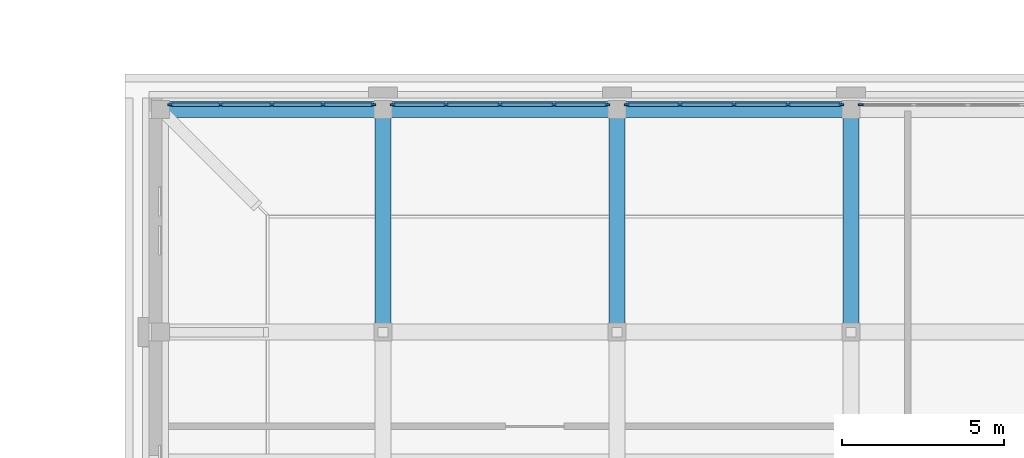
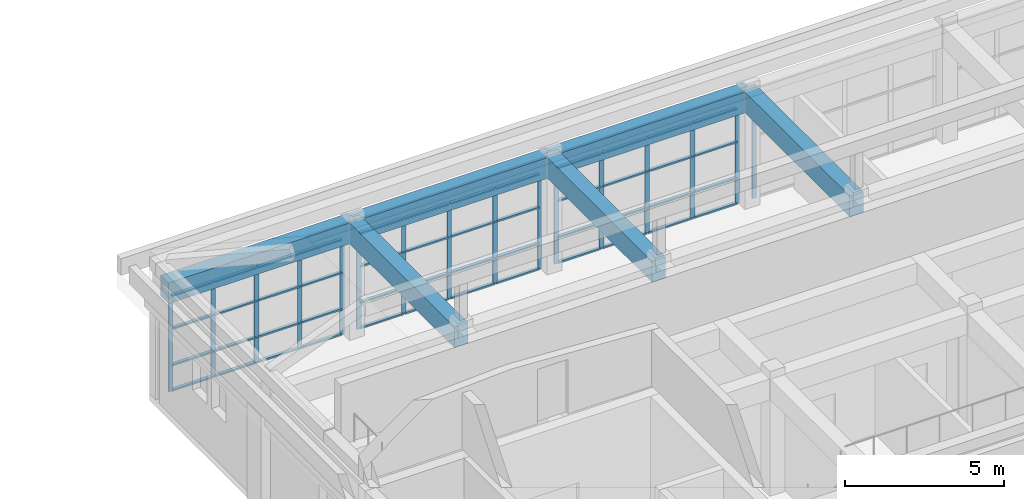
# One storey, part 8 of 48: 64 members, 6 beams, 4 elements without a shape of their own.
"""IFC4 building model written with IfcOpenShell, lengths in metres."""

from ifc_helpers import new_model, si_unit, direction, frame, origin, origin_2d, place, context, subcontext, project, spatial, rectangle, extrude, material, material_profile, profile_set, type_object, element, aggregate, save


model = new_model("IFC4")

# Units and contexts
model_context = context("Model", 3, precision=1e-05, world=origin(), true_north=direction((0.0, 1.0)))
body_context = subcontext(model_context, "Body", "Model", "MODEL_VIEW")
ifc_project = project(units=[si_unit("LENGTHUNIT", "METRE"), si_unit("AREAUNIT", "SQUARE_METRE"), si_unit("VOLUMEUNIT", "CUBIC_METRE"), si_unit("PLANEANGLEUNIT", "RADIAN"), si_unit("MASSUNIT", "GRAM", prefix="KILO")], contexts=[model_context])

# Site, building, storey
site_placement = place(None, origin())
site = spatial("IfcSite", under=ifc_project, at=site_placement, CompositionType="ELEMENT")
building_placement = place(site_placement, origin())
building = spatial("IfcBuilding", under=site, at=building_placement, Name="Alderwick Market Hall", CompositionType="ELEMENT")
storey_placement = place(building_placement, frame((0.0, 0.0, 14.39990234375)))
storey = spatial("IfcBuildingStorey", under=building, at=storey_placement, Name="L02", CompositionType="ELEMENT", Elevation=14.39990234375)

# Curtain wall, members
ifc_material_1 = material(Name="C Curtain Wall 1800 module")
curtain_wall_type = type_object("IfcCurtainWallType", Name="C Curtain Wall 1800 module", PredefinedType="NOTDEFINED", material=ifc_material_1)
curtain_wall_1_placement = place(storey_placement, origin())
curtain_wall_1 = element("IfcCurtainWall", 1, at=curtain_wall_1_placement, inside=storey, type_object=curtain_wall_type, Name="C.cw.L02.02", PredefinedType="NOTDEFINED")
ifc_material_2 = material(Name="Aluminium alloy 6063-T6", Category="aluminium")
ifc_material_profile_1 = material_profile(ifc_material_2, rectangle(XDim=0.06005859375, YDim=0.159912109375, at=origin_2d()), Name="AL 60x160")
ifc_profile_set_1 = profile_set([ifc_material_profile_1], Name="Aluminium alloy 6063-T6")
member_type_1 = type_object("IfcMemberType", Name="C Curtain Wall Mullion 60x160", PredefinedType="MULLION", material=ifc_profile_set_1)
member_1_placement = place(storey_placement, frame((159.054931640625, 28.60009765625, 0.0), z_axis=(0.0, 0.0, 1.0), x_axis=(0.0, 1.0, 0.0)))
member_1 = element("IfcMember", 2, at=member_1_placement, type_object=member_type_1, Name="C-CW mullion 1", PredefinedType="MULLION", context=body_context, shape_type="SweptSolid", body=[
    extrude(rectangle(XDim=0.06005859375, YDim=0.159912109375, at=origin_2d()), origin(), (0.0, 0.0, 1.0), 3.7001953125),
])
member_2_placement = place(storey_placement, frame((160.60009765625, 28.60009765625, 0.0), z_axis=(0.0, 0.0, 1.0), x_axis=(0.0, 1.0, 0.0)))
member_2 = element("IfcMember", 3, at=member_2_placement, type_object=member_type_1, Name="C-CW mullion 2", PredefinedType="MULLION", context=body_context, shape_type="SweptSolid", body=[
    extrude(rectangle(XDim=0.06005859375, YDim=0.159912109375, at=origin_2d()), origin(), (0.0, 0.0, 1.0), 3.7001953125),
])
member_3_placement = place(storey_placement, frame((162.175048828125, 28.60009765625, 0.0), z_axis=(0.0, 0.0, 1.0), x_axis=(0.0, 1.0, 0.0)))
member_3 = element("IfcMember", 4, at=member_3_placement, type_object=member_type_1, Name="C-CW mullion 3", PredefinedType="MULLION", context=body_context, shape_type="SweptSolid", body=[
    extrude(rectangle(XDim=0.06005859375, YDim=0.159912109375, at=origin_2d()), origin(), (0.0, 0.0, 1.0), 3.7001953125),
])
member_4_placement = place(storey_placement, frame((163.75, 28.60009765625, 0.0), z_axis=(0.0, 0.0, 1.0), x_axis=(0.0, 1.0, 0.0)))
member_4 = element("IfcMember", 5, at=member_4_placement, type_object=member_type_1, Name="C-CW mullion 4", PredefinedType="MULLION", context=body_context, shape_type="SweptSolid", body=[
    extrude(rectangle(XDim=0.06005859375, YDim=0.159912109375, at=origin_2d()), origin(), (0.0, 0.0, 1.0), 3.7001953125),
])
member_5_placement = place(storey_placement, frame((165.294921875, 28.60009765625, 0.0), z_axis=(0.0, 0.0, 1.0), x_axis=(0.0, 1.0, 0.0)))
member_5 = element("IfcMember", 6, at=member_5_placement, type_object=member_type_1, Name="C-CW mullion 5", PredefinedType="MULLION", context=body_context, shape_type="SweptSolid", body=[
    extrude(rectangle(XDim=0.06005859375, YDim=0.159912109375, at=origin_2d()), origin(), (0.0, 0.0, 1.0), 3.7001953125),
])

curtain_wall_2_placement = place(storey_placement, origin())
curtain_wall_2 = element("IfcCurtainWall", 7, at=curtain_wall_2_placement, inside=storey, type_object=curtain_wall_type, Name="C.cw.L02.03", PredefinedType="NOTDEFINED")
member_6_placement = place(storey_placement, frame((165.905029296875, 28.60009765625, 0.0), z_axis=(0.0, 0.0, 1.0), x_axis=(0.0, 1.0, 0.0)))
member_6 = element("IfcMember", 8, at=member_6_placement, type_object=member_type_1, Name="C-CW mullion 1", PredefinedType="MULLION", context=body_context, shape_type="SweptSolid", body=[
    extrude(rectangle(XDim=0.06005859375, YDim=0.159912109375, at=origin_2d()), origin(), (0.0, 0.0, 1.0), 3.7001953125),
])
member_7_placement = place(storey_placement, frame((167.53759765625, 28.60009765625, 0.0), z_axis=(0.0, 0.0, 1.0), x_axis=(0.0, 1.0, 0.0)))
member_7 = element("IfcMember", 9, at=member_7_placement, type_object=member_type_1, Name="C-CW mullion 2", PredefinedType="MULLION", context=body_context, shape_type="SweptSolid", body=[
    extrude(rectangle(XDim=0.06005859375, YDim=0.159912109375, at=origin_2d()), origin(), (0.0, 0.0, 1.0), 3.7001953125),
])
member_8_placement = place(storey_placement, frame((169.199951171875, 28.60009765625, 0.0), z_axis=(0.0, 0.0, 1.0), x_axis=(0.0, 1.0, 0.0)))
member_8 = element("IfcMember", 10, at=member_8_placement, type_object=member_type_1, Name="C-CW mullion 3", PredefinedType="MULLION", context=body_context, shape_type="SweptSolid", body=[
    extrude(rectangle(XDim=0.06005859375, YDim=0.159912109375, at=origin_2d()), origin(), (0.0, 0.0, 1.0), 3.7001953125),
])
member_9_placement = place(storey_placement, frame((170.862548828125, 28.60009765625, 0.0), z_axis=(0.0, 0.0, 1.0), x_axis=(0.0, 1.0, 0.0)))
member_9 = element("IfcMember", 11, at=member_9_placement, type_object=member_type_1, Name="C-CW mullion 4", PredefinedType="MULLION", context=body_context, shape_type="SweptSolid", body=[
    extrude(rectangle(XDim=0.06005859375, YDim=0.159912109375, at=origin_2d()), origin(), (0.0, 0.0, 1.0), 3.7001953125),
])
member_10_placement = place(storey_placement, frame((172.4951171875, 28.60009765625, 0.0), z_axis=(0.0, 0.0, 1.0), x_axis=(0.0, 1.0, 0.0)))
member_10 = element("IfcMember", 12, at=member_10_placement, type_object=member_type_1, Name="C-CW mullion 5", PredefinedType="MULLION", context=body_context, shape_type="SweptSolid", body=[
    extrude(rectangle(XDim=0.06005859375, YDim=0.159912109375, at=origin_2d()), origin(), (0.0, 0.0, 1.0), 3.7001953125),
])

curtain_wall_3_placement = place(storey_placement, origin())
curtain_wall_3 = element("IfcCurtainWall", 13, at=curtain_wall_3_placement, inside=storey, type_object=curtain_wall_type, Name="C.cw.L02.04", PredefinedType="NOTDEFINED")
member_11_placement = place(storey_placement, frame((173.10498046875, 28.60009765625, 0.0), z_axis=(0.0, 0.0, 1.0), x_axis=(0.0, 1.0, 0.0)))
member_11 = element("IfcMember", 14, at=member_11_placement, type_object=member_type_1, Name="C-CW mullion 1", PredefinedType="MULLION", context=body_context, shape_type="SweptSolid", body=[
    extrude(rectangle(XDim=0.06005859375, YDim=0.159912109375, at=origin_2d()), origin(), (0.0, 0.0, 1.0), 3.7001953125),
])
member_12_placement = place(storey_placement, frame((174.737548828125, 28.60009765625, 0.0), z_axis=(0.0, 0.0, 1.0), x_axis=(0.0, 1.0, 0.0)))
member_12 = element("IfcMember", 15, at=member_12_placement, type_object=member_type_1, Name="C-CW mullion 2", PredefinedType="MULLION", context=body_context, shape_type="SweptSolid", body=[
    extrude(rectangle(XDim=0.06005859375, YDim=0.159912109375, at=origin_2d()), origin(), (0.0, 0.0, 1.0), 3.7001953125),
])
member_13_placement = place(storey_placement, frame((176.39990234375, 28.60009765625, 0.0), z_axis=(0.0, 0.0, 1.0), x_axis=(0.0, 1.0, 0.0)))
member_13 = element("IfcMember", 16, at=member_13_placement, type_object=member_type_1, Name="C-CW mullion 3", PredefinedType="MULLION", context=body_context, shape_type="SweptSolid", body=[
    extrude(rectangle(XDim=0.06005859375, YDim=0.159912109375, at=origin_2d()), origin(), (0.0, 0.0, 1.0), 3.7001953125),
])
member_14_placement = place(storey_placement, frame((178.0625, 28.60009765625, 0.0), z_axis=(0.0, 0.0, 1.0), x_axis=(0.0, 1.0, 0.0)))
member_14 = element("IfcMember", 17, at=member_14_placement, type_object=member_type_1, Name="C-CW mullion 4", PredefinedType="MULLION", context=body_context, shape_type="SweptSolid", body=[
    extrude(rectangle(XDim=0.06005859375, YDim=0.159912109375, at=origin_2d()), origin(), (0.0, 0.0, 1.0), 3.7001953125),
])
member_15_placement = place(storey_placement, frame((179.695068359375, 28.60009765625, 0.0), z_axis=(0.0, 0.0, 1.0), x_axis=(0.0, 1.0, 0.0)))
member_15 = element("IfcMember", 18, at=member_15_placement, type_object=member_type_1, Name="C-CW mullion 5", PredefinedType="MULLION", context=body_context, shape_type="SweptSolid", body=[
    extrude(rectangle(XDim=0.06005859375, YDim=0.159912109375, at=origin_2d()), origin(), (0.0, 0.0, 1.0), 3.7001953125),
])

# Curtain wall, member
curtain_wall_4_placement = place(storey_placement, origin())
curtain_wall_4 = element("IfcCurtainWall", 19, at=curtain_wall_4_placement, inside=storey, type_object=curtain_wall_type, Name="C.cw.L02.05", PredefinedType="NOTDEFINED")
member_16_placement = place(storey_placement, frame((180.304931640625, 28.60009765625, 0.0), z_axis=(0.0, 0.0, 1.0), x_axis=(0.0, 1.0, 0.0)))
member_16 = element("IfcMember", 20, at=member_16_placement, type_object=member_type_1, Name="C-CW mullion 1", PredefinedType="MULLION", context=body_context, shape_type="SweptSolid", body=[
    extrude(rectangle(XDim=0.06005859375, YDim=0.159912109375, at=origin_2d()), origin(), (0.0, 0.0, 1.0), 3.7001953125),
])
aggregate(curtain_wall_4, [member_16])

# Member
ifc_material_profile_2 = material_profile(ifc_material_2, rectangle(XDim=0.1201171875, YDim=0.06005859375, at=origin_2d()), Name="AL 60x120")
ifc_profile_set_2 = profile_set([ifc_material_profile_2], Name="Aluminium alloy 6063-T6")
member_type_2 = type_object("IfcMemberType", Name="C Curtain Wall Transom 60x120", PredefinedType="USERDEFINED", material=ifc_profile_set_2)
member_17_placement = place(storey_placement, frame((159.0849609375, 28.60009765625, 0.030029296875), z_axis=(1.0, 0.0, 0.0), x_axis=(0.0, 1.0, 0.0)))
member_17 = element("IfcMember", 21, at=member_17_placement, type_object=member_type_2, Name="C-CW transom 1.1", ObjectType="TRANSOM", PredefinedType="USERDEFINED", context=body_context, shape_type="SweptSolid", body=[
    extrude(rectangle(XDim=0.1201171875, YDim=0.06005859375, at=origin_2d()), origin(), (0.0, 0.0, 1.0), 1.485107421875),
])

member_18_placement = place(storey_placement, frame((159.0849609375, 28.60009765625, 1.0), z_axis=(1.0, 0.0, 0.0), x_axis=(0.0, 1.0, 0.0)))
member_18 = element("IfcMember", 22, at=member_18_placement, type_object=member_type_2, Name="C-CW transom 1.2", ObjectType="TRANSOM", PredefinedType="USERDEFINED", context=body_context, shape_type="SweptSolid", body=[
    extrude(rectangle(XDim=0.1201171875, YDim=0.06005859375, at=origin_2d()), origin(), (0.0, 0.0, 1.0), 1.485107421875),
])

member_19_placement = place(storey_placement, frame((159.0849609375, 28.60009765625, 2.400146484375), z_axis=(1.0, 0.0, 0.0), x_axis=(0.0, 1.0, 0.0)))
member_19 = element("IfcMember", 23, at=member_19_placement, type_object=member_type_2, Name="C-CW transom 1.3", ObjectType="TRANSOM", PredefinedType="USERDEFINED", context=body_context, shape_type="SweptSolid", body=[
    extrude(rectangle(XDim=0.1201171875, YDim=0.06005859375, at=origin_2d()), origin(), (0.0, 0.0, 1.0), 1.485107421875),
])

member_20_placement = place(storey_placement, frame((159.0849609375, 28.60009765625, 3.670166015625), z_axis=(1.0, 0.0, 0.0), x_axis=(0.0, 1.0, 0.0)))
member_20 = element("IfcMember", 24, at=member_20_placement, type_object=member_type_2, Name="C-CW transom 1.4", ObjectType="TRANSOM", PredefinedType="USERDEFINED", context=body_context, shape_type="SweptSolid", body=[
    extrude(rectangle(XDim=0.1201171875, YDim=0.06005859375, at=origin_2d()), origin(), (0.0, 0.0, 1.0), 1.485107421875),
])

member_21_placement = place(storey_placement, frame((160.6298828125, 28.60009765625, 0.030029296875), z_axis=(1.0, 0.0, 0.0), x_axis=(0.0, 1.0, 0.0)))
member_21 = element("IfcMember", 25, at=member_21_placement, type_object=member_type_2, Name="C-CW transom 2.1", ObjectType="TRANSOM", PredefinedType="USERDEFINED", context=body_context, shape_type="SweptSolid", body=[
    extrude(rectangle(XDim=0.1201171875, YDim=0.06005859375, at=origin_2d()), origin(), (0.0, 0.0, 1.0), 1.51513671875),
])

member_22_placement = place(storey_placement, frame((160.6298828125, 28.60009765625, 1.0), z_axis=(1.0, 0.0, 0.0), x_axis=(0.0, 1.0, 0.0)))
member_22 = element("IfcMember", 26, at=member_22_placement, type_object=member_type_2, Name="C-CW transom 2.2", ObjectType="TRANSOM", PredefinedType="USERDEFINED", context=body_context, shape_type="SweptSolid", body=[
    extrude(rectangle(XDim=0.1201171875, YDim=0.06005859375, at=origin_2d()), origin(), (0.0, 0.0, 1.0), 1.51513671875),
])

member_23_placement = place(storey_placement, frame((160.6298828125, 28.60009765625, 2.400146484375), z_axis=(1.0, 0.0, 0.0), x_axis=(0.0, 1.0, 0.0)))
member_23 = element("IfcMember", 27, at=member_23_placement, type_object=member_type_2, Name="C-CW transom 2.3", ObjectType="TRANSOM", PredefinedType="USERDEFINED", context=body_context, shape_type="SweptSolid", body=[
    extrude(rectangle(XDim=0.1201171875, YDim=0.06005859375, at=origin_2d()), origin(), (0.0, 0.0, 1.0), 1.51513671875),
])

member_24_placement = place(storey_placement, frame((160.6298828125, 28.60009765625, 3.670166015625), z_axis=(1.0, 0.0, 0.0), x_axis=(0.0, 1.0, 0.0)))
member_24 = element("IfcMember", 28, at=member_24_placement, type_object=member_type_2, Name="C-CW transom 2.4", ObjectType="TRANSOM", PredefinedType="USERDEFINED", context=body_context, shape_type="SweptSolid", body=[
    extrude(rectangle(XDim=0.1201171875, YDim=0.06005859375, at=origin_2d()), origin(), (0.0, 0.0, 1.0), 1.51513671875),
])

member_25_placement = place(storey_placement, frame((162.205078125, 28.60009765625, 0.030029296875), z_axis=(1.0, 0.0, 0.0), x_axis=(0.0, 1.0, 0.0)))
member_25 = element("IfcMember", 29, at=member_25_placement, type_object=member_type_2, Name="C-CW transom 3.1", ObjectType="TRANSOM", PredefinedType="USERDEFINED", context=body_context, shape_type="SweptSolid", body=[
    extrude(rectangle(XDim=0.1201171875, YDim=0.06005859375, at=origin_2d()), origin(), (0.0, 0.0, 1.0), 1.514892578125),
])

member_26_placement = place(storey_placement, frame((162.205078125, 28.60009765625, 1.0), z_axis=(1.0, 0.0, 0.0), x_axis=(0.0, 1.0, 0.0)))
member_26 = element("IfcMember", 30, at=member_26_placement, type_object=member_type_2, Name="C-CW transom 3.2", ObjectType="TRANSOM", PredefinedType="USERDEFINED", context=body_context, shape_type="SweptSolid", body=[
    extrude(rectangle(XDim=0.1201171875, YDim=0.06005859375, at=origin_2d()), origin(), (0.0, 0.0, 1.0), 1.514892578125),
])

member_27_placement = place(storey_placement, frame((162.205078125, 28.60009765625, 2.400146484375), z_axis=(1.0, 0.0, 0.0), x_axis=(0.0, 1.0, 0.0)))
member_27 = element("IfcMember", 31, at=member_27_placement, type_object=member_type_2, Name="C-CW transom 3.3", ObjectType="TRANSOM", PredefinedType="USERDEFINED", context=body_context, shape_type="SweptSolid", body=[
    extrude(rectangle(XDim=0.1201171875, YDim=0.06005859375, at=origin_2d()), origin(), (0.0, 0.0, 1.0), 1.514892578125),
])

member_28_placement = place(storey_placement, frame((162.205078125, 28.60009765625, 3.670166015625), z_axis=(1.0, 0.0, 0.0), x_axis=(0.0, 1.0, 0.0)))
member_28 = element("IfcMember", 32, at=member_28_placement, type_object=member_type_2, Name="C-CW transom 3.4", ObjectType="TRANSOM", PredefinedType="USERDEFINED", context=body_context, shape_type="SweptSolid", body=[
    extrude(rectangle(XDim=0.1201171875, YDim=0.06005859375, at=origin_2d()), origin(), (0.0, 0.0, 1.0), 1.514892578125),
])

member_29_placement = place(storey_placement, frame((163.780029296875, 28.60009765625, 0.030029296875), z_axis=(1.0, 0.0, 0.0), x_axis=(0.0, 1.0, 0.0)))
member_29 = element("IfcMember", 33, at=member_29_placement, type_object=member_type_2, Name="C-CW transom 4.1", ObjectType="TRANSOM", PredefinedType="USERDEFINED", context=body_context, shape_type="SweptSolid", body=[
    extrude(rectangle(XDim=0.1201171875, YDim=0.06005859375, at=origin_2d()), origin(), (0.0, 0.0, 1.0), 1.48486328125),
])

member_30_placement = place(storey_placement, frame((163.780029296875, 28.60009765625, 1.0), z_axis=(1.0, 0.0, 0.0), x_axis=(0.0, 1.0, 0.0)))
member_30 = element("IfcMember", 34, at=member_30_placement, type_object=member_type_2, Name="C-CW transom 4.2", ObjectType="TRANSOM", PredefinedType="USERDEFINED", context=body_context, shape_type="SweptSolid", body=[
    extrude(rectangle(XDim=0.1201171875, YDim=0.06005859375, at=origin_2d()), origin(), (0.0, 0.0, 1.0), 1.48486328125),
])

member_31_placement = place(storey_placement, frame((163.780029296875, 28.60009765625, 2.400146484375), z_axis=(1.0, 0.0, 0.0), x_axis=(0.0, 1.0, 0.0)))
member_31 = element("IfcMember", 35, at=member_31_placement, type_object=member_type_2, Name="C-CW transom 4.3", ObjectType="TRANSOM", PredefinedType="USERDEFINED", context=body_context, shape_type="SweptSolid", body=[
    extrude(rectangle(XDim=0.1201171875, YDim=0.06005859375, at=origin_2d()), origin(), (0.0, 0.0, 1.0), 1.48486328125),
])

member_32_placement = place(storey_placement, frame((163.780029296875, 28.60009765625, 3.670166015625), z_axis=(1.0, 0.0, 0.0), x_axis=(0.0, 1.0, 0.0)))
member_32 = element("IfcMember", 36, at=member_32_placement, type_object=member_type_2, Name="C-CW transom 4.4", ObjectType="TRANSOM", PredefinedType="USERDEFINED", context=body_context, shape_type="SweptSolid", body=[
    extrude(rectangle(XDim=0.1201171875, YDim=0.06005859375, at=origin_2d()), origin(), (0.0, 0.0, 1.0), 1.48486328125),
])

aggregate(curtain_wall_1, [member_1, member_2, member_3, member_4, member_5, member_17, member_18, member_19, member_20, member_21, member_22, member_23, member_24, member_25, member_26, member_27, member_28, member_29, member_30, member_31, member_32])

member_33_placement = place(storey_placement, frame((165.93505859375, 28.60009765625, 0.030029296875), z_axis=(1.0, 0.0, 0.0), x_axis=(0.0, 1.0, 0.0)))
member_33 = element("IfcMember", 37, at=member_33_placement, type_object=member_type_2, Name="C-CW transom 1.1", ObjectType="TRANSOM", PredefinedType="USERDEFINED", context=body_context, shape_type="SweptSolid", body=[
    extrude(rectangle(XDim=0.1201171875, YDim=0.06005859375, at=origin_2d()), origin(), (0.0, 0.0, 1.0), 1.572509765625),
])

member_34_placement = place(storey_placement, frame((165.93505859375, 28.60009765625, 1.0), z_axis=(1.0, 0.0, 0.0), x_axis=(0.0, 1.0, 0.0)))
member_34 = element("IfcMember", 38, at=member_34_placement, type_object=member_type_2, Name="C-CW transom 1.2", ObjectType="TRANSOM", PredefinedType="USERDEFINED", context=body_context, shape_type="SweptSolid", body=[
    extrude(rectangle(XDim=0.1201171875, YDim=0.06005859375, at=origin_2d()), origin(), (0.0, 0.0, 1.0), 1.572509765625),
])

member_35_placement = place(storey_placement, frame((165.93505859375, 28.60009765625, 2.400146484375), z_axis=(1.0, 0.0, 0.0), x_axis=(0.0, 1.0, 0.0)))
member_35 = element("IfcMember", 39, at=member_35_placement, type_object=member_type_2, Name="C-CW transom 1.3", ObjectType="TRANSOM", PredefinedType="USERDEFINED", context=body_context, shape_type="SweptSolid", body=[
    extrude(rectangle(XDim=0.1201171875, YDim=0.06005859375, at=origin_2d()), origin(), (0.0, 0.0, 1.0), 1.572509765625),
])

member_36_placement = place(storey_placement, frame((165.93505859375, 28.60009765625, 3.670166015625), z_axis=(1.0, 0.0, 0.0), x_axis=(0.0, 1.0, 0.0)))
member_36 = element("IfcMember", 40, at=member_36_placement, type_object=member_type_2, Name="C-CW transom 1.4", ObjectType="TRANSOM", PredefinedType="USERDEFINED", context=body_context, shape_type="SweptSolid", body=[
    extrude(rectangle(XDim=0.1201171875, YDim=0.06005859375, at=origin_2d()), origin(), (0.0, 0.0, 1.0), 1.572509765625),
])

member_37_placement = place(storey_placement, frame((167.5673828125, 28.60009765625, 0.030029296875), z_axis=(1.0, 0.0, 0.0), x_axis=(0.0, 1.0, 0.0)))
member_37 = element("IfcMember", 41, at=member_37_placement, type_object=member_type_2, Name="C-CW transom 2.1", ObjectType="TRANSOM", PredefinedType="USERDEFINED", context=body_context, shape_type="SweptSolid", body=[
    extrude(rectangle(XDim=0.1201171875, YDim=0.06005859375, at=origin_2d()), origin(), (0.0, 0.0, 1.0), 1.6025390625),
])

member_38_placement = place(storey_placement, frame((167.5673828125, 28.60009765625, 1.0), z_axis=(1.0, 0.0, 0.0), x_axis=(0.0, 1.0, 0.0)))
member_38 = element("IfcMember", 42, at=member_38_placement, type_object=member_type_2, Name="C-CW transom 2.2", ObjectType="TRANSOM", PredefinedType="USERDEFINED", context=body_context, shape_type="SweptSolid", body=[
    extrude(rectangle(XDim=0.1201171875, YDim=0.06005859375, at=origin_2d()), origin(), (0.0, 0.0, 1.0), 1.6025390625),
])

member_39_placement = place(storey_placement, frame((167.5673828125, 28.60009765625, 2.400146484375), z_axis=(1.0, 0.0, 0.0), x_axis=(0.0, 1.0, 0.0)))
member_39 = element("IfcMember", 43, at=member_39_placement, type_object=member_type_2, Name="C-CW transom 2.3", ObjectType="TRANSOM", PredefinedType="USERDEFINED", context=body_context, shape_type="SweptSolid", body=[
    extrude(rectangle(XDim=0.1201171875, YDim=0.06005859375, at=origin_2d()), origin(), (0.0, 0.0, 1.0), 1.6025390625),
])

member_40_placement = place(storey_placement, frame((167.5673828125, 28.60009765625, 3.670166015625), z_axis=(1.0, 0.0, 0.0), x_axis=(0.0, 1.0, 0.0)))
member_40 = element("IfcMember", 44, at=member_40_placement, type_object=member_type_2, Name="C-CW transom 2.4", ObjectType="TRANSOM", PredefinedType="USERDEFINED", context=body_context, shape_type="SweptSolid", body=[
    extrude(rectangle(XDim=0.1201171875, YDim=0.06005859375, at=origin_2d()), origin(), (0.0, 0.0, 1.0), 1.6025390625),
])

member_41_placement = place(storey_placement, frame((169.22998046875, 28.60009765625, 0.030029296875), z_axis=(1.0, 0.0, 0.0), x_axis=(0.0, 1.0, 0.0)))
member_41 = element("IfcMember", 45, at=member_41_placement, type_object=member_type_2, Name="C-CW transom 3.1", ObjectType="TRANSOM", PredefinedType="USERDEFINED", context=body_context, shape_type="SweptSolid", body=[
    extrude(rectangle(XDim=0.1201171875, YDim=0.06005859375, at=origin_2d()), origin(), (0.0, 0.0, 1.0), 1.6025390625),
])

member_42_placement = place(storey_placement, frame((169.22998046875, 28.60009765625, 1.0), z_axis=(1.0, 0.0, 0.0), x_axis=(0.0, 1.0, 0.0)))
member_42 = element("IfcMember", 46, at=member_42_placement, type_object=member_type_2, Name="C-CW transom 3.2", ObjectType="TRANSOM", PredefinedType="USERDEFINED", context=body_context, shape_type="SweptSolid", body=[
    extrude(rectangle(XDim=0.1201171875, YDim=0.06005859375, at=origin_2d()), origin(), (0.0, 0.0, 1.0), 1.6025390625),
])

member_43_placement = place(storey_placement, frame((169.22998046875, 28.60009765625, 2.400146484375), z_axis=(1.0, 0.0, 0.0), x_axis=(0.0, 1.0, 0.0)))
member_43 = element("IfcMember", 47, at=member_43_placement, type_object=member_type_2, Name="C-CW transom 3.3", ObjectType="TRANSOM", PredefinedType="USERDEFINED", context=body_context, shape_type="SweptSolid", body=[
    extrude(rectangle(XDim=0.1201171875, YDim=0.06005859375, at=origin_2d()), origin(), (0.0, 0.0, 1.0), 1.6025390625),
])

member_44_placement = place(storey_placement, frame((169.22998046875, 28.60009765625, 3.670166015625), z_axis=(1.0, 0.0, 0.0), x_axis=(0.0, 1.0, 0.0)))
member_44 = element("IfcMember", 48, at=member_44_placement, type_object=member_type_2, Name="C-CW transom 3.4", ObjectType="TRANSOM", PredefinedType="USERDEFINED", context=body_context, shape_type="SweptSolid", body=[
    extrude(rectangle(XDim=0.1201171875, YDim=0.06005859375, at=origin_2d()), origin(), (0.0, 0.0, 1.0), 1.6025390625),
])

member_45_placement = place(storey_placement, frame((170.892578125, 28.60009765625, 0.030029296875), z_axis=(1.0, 0.0, 0.0), x_axis=(0.0, 1.0, 0.0)))
member_45 = element("IfcMember", 49, at=member_45_placement, type_object=member_type_2, Name="C-CW transom 4.1", ObjectType="TRANSOM", PredefinedType="USERDEFINED", context=body_context, shape_type="SweptSolid", body=[
    extrude(rectangle(XDim=0.1201171875, YDim=0.06005859375, at=origin_2d()), origin(), (0.0, 0.0, 1.0), 1.572509765625),
])

member_46_placement = place(storey_placement, frame((170.892578125, 28.60009765625, 1.0), z_axis=(1.0, 0.0, 0.0), x_axis=(0.0, 1.0, 0.0)))
member_46 = element("IfcMember", 50, at=member_46_placement, type_object=member_type_2, Name="C-CW transom 4.2", ObjectType="TRANSOM", PredefinedType="USERDEFINED", context=body_context, shape_type="SweptSolid", body=[
    extrude(rectangle(XDim=0.1201171875, YDim=0.06005859375, at=origin_2d()), origin(), (0.0, 0.0, 1.0), 1.572509765625),
])

member_47_placement = place(storey_placement, frame((170.892578125, 28.60009765625, 2.400146484375), z_axis=(1.0, 0.0, 0.0), x_axis=(0.0, 1.0, 0.0)))
member_47 = element("IfcMember", 51, at=member_47_placement, type_object=member_type_2, Name="C-CW transom 4.3", ObjectType="TRANSOM", PredefinedType="USERDEFINED", context=body_context, shape_type="SweptSolid", body=[
    extrude(rectangle(XDim=0.1201171875, YDim=0.06005859375, at=origin_2d()), origin(), (0.0, 0.0, 1.0), 1.572509765625),
])

member_48_placement = place(storey_placement, frame((170.892578125, 28.60009765625, 3.670166015625), z_axis=(1.0, 0.0, 0.0), x_axis=(0.0, 1.0, 0.0)))
member_48 = element("IfcMember", 52, at=member_48_placement, type_object=member_type_2, Name="C-CW transom 4.4", ObjectType="TRANSOM", PredefinedType="USERDEFINED", context=body_context, shape_type="SweptSolid", body=[
    extrude(rectangle(XDim=0.1201171875, YDim=0.06005859375, at=origin_2d()), origin(), (0.0, 0.0, 1.0), 1.572509765625),
])

aggregate(curtain_wall_2, [member_6, member_7, member_8, member_9, member_10, member_33, member_34, member_35, member_36, member_37, member_38, member_39, member_40, member_41, member_42, member_43, member_44, member_45, member_46, member_47, member_48])

member_49_placement = place(storey_placement, frame((173.135009765625, 28.60009765625, 0.030029296875), z_axis=(1.0, 0.0, 0.0), x_axis=(0.0, 1.0, 0.0)))
member_49 = element("IfcMember", 53, at=member_49_placement, type_object=member_type_2, Name="C-CW transom 1.1", ObjectType="TRANSOM", PredefinedType="USERDEFINED", context=body_context, shape_type="SweptSolid", body=[
    extrude(rectangle(XDim=0.1201171875, YDim=0.06005859375, at=origin_2d()), origin(), (0.0, 0.0, 1.0), 1.572509765625),
])

member_50_placement = place(storey_placement, frame((173.135009765625, 28.60009765625, 1.0), z_axis=(1.0, 0.0, 0.0), x_axis=(0.0, 1.0, 0.0)))
member_50 = element("IfcMember", 54, at=member_50_placement, type_object=member_type_2, Name="C-CW transom 1.2", ObjectType="TRANSOM", PredefinedType="USERDEFINED", context=body_context, shape_type="SweptSolid", body=[
    extrude(rectangle(XDim=0.1201171875, YDim=0.06005859375, at=origin_2d()), origin(), (0.0, 0.0, 1.0), 1.572509765625),
])

member_51_placement = place(storey_placement, frame((173.135009765625, 28.60009765625, 2.400146484375), z_axis=(1.0, 0.0, 0.0), x_axis=(0.0, 1.0, 0.0)))
member_51 = element("IfcMember", 55, at=member_51_placement, type_object=member_type_2, Name="C-CW transom 1.3", ObjectType="TRANSOM", PredefinedType="USERDEFINED", context=body_context, shape_type="SweptSolid", body=[
    extrude(rectangle(XDim=0.1201171875, YDim=0.06005859375, at=origin_2d()), origin(), (0.0, 0.0, 1.0), 1.572509765625),
])

member_52_placement = place(storey_placement, frame((173.135009765625, 28.60009765625, 3.670166015625), z_axis=(1.0, 0.0, 0.0), x_axis=(0.0, 1.0, 0.0)))
member_52 = element("IfcMember", 56, at=member_52_placement, type_object=member_type_2, Name="C-CW transom 1.4", ObjectType="TRANSOM", PredefinedType="USERDEFINED", context=body_context, shape_type="SweptSolid", body=[
    extrude(rectangle(XDim=0.1201171875, YDim=0.06005859375, at=origin_2d()), origin(), (0.0, 0.0, 1.0), 1.572509765625),
])

member_53_placement = place(storey_placement, frame((174.767578125, 28.60009765625, 0.030029296875), z_axis=(1.0, 0.0, 0.0), x_axis=(0.0, 1.0, 0.0)))
member_53 = element("IfcMember", 57, at=member_53_placement, type_object=member_type_2, Name="C-CW transom 2.1", ObjectType="TRANSOM", PredefinedType="USERDEFINED", context=body_context, shape_type="SweptSolid", body=[
    extrude(rectangle(XDim=0.1201171875, YDim=0.06005859375, at=origin_2d()), origin(), (0.0, 0.0, 1.0), 1.6025390625),
])

member_54_placement = place(storey_placement, frame((174.767578125, 28.60009765625, 1.0), z_axis=(1.0, 0.0, 0.0), x_axis=(0.0, 1.0, 0.0)))
member_54 = element("IfcMember", 58, at=member_54_placement, type_object=member_type_2, Name="C-CW transom 2.2", ObjectType="TRANSOM", PredefinedType="USERDEFINED", context=body_context, shape_type="SweptSolid", body=[
    extrude(rectangle(XDim=0.1201171875, YDim=0.06005859375, at=origin_2d()), origin(), (0.0, 0.0, 1.0), 1.6025390625),
])

member_55_placement = place(storey_placement, frame((174.767578125, 28.60009765625, 2.400146484375), z_axis=(1.0, 0.0, 0.0), x_axis=(0.0, 1.0, 0.0)))
member_55 = element("IfcMember", 59, at=member_55_placement, type_object=member_type_2, Name="C-CW transom 2.3", ObjectType="TRANSOM", PredefinedType="USERDEFINED", context=body_context, shape_type="SweptSolid", body=[
    extrude(rectangle(XDim=0.1201171875, YDim=0.06005859375, at=origin_2d()), origin(), (0.0, 0.0, 1.0), 1.6025390625),
])

member_56_placement = place(storey_placement, frame((174.767578125, 28.60009765625, 3.670166015625), z_axis=(1.0, 0.0, 0.0), x_axis=(0.0, 1.0, 0.0)))
member_56 = element("IfcMember", 60, at=member_56_placement, type_object=member_type_2, Name="C-CW transom 2.4", ObjectType="TRANSOM", PredefinedType="USERDEFINED", context=body_context, shape_type="SweptSolid", body=[
    extrude(rectangle(XDim=0.1201171875, YDim=0.06005859375, at=origin_2d()), origin(), (0.0, 0.0, 1.0), 1.6025390625),
])

member_57_placement = place(storey_placement, frame((176.429931640625, 28.60009765625, 0.030029296875), z_axis=(1.0, 0.0, 0.0), x_axis=(0.0, 1.0, 0.0)))
member_57 = element("IfcMember", 61, at=member_57_placement, type_object=member_type_2, Name="C-CW transom 3.1", ObjectType="TRANSOM", PredefinedType="USERDEFINED", context=body_context, shape_type="SweptSolid", body=[
    extrude(rectangle(XDim=0.1201171875, YDim=0.06005859375, at=origin_2d()), origin(), (0.0, 0.0, 1.0), 1.6025390625),
])

member_58_placement = place(storey_placement, frame((176.429931640625, 28.60009765625, 1.0), z_axis=(1.0, 0.0, 0.0), x_axis=(0.0, 1.0, 0.0)))
member_58 = element("IfcMember", 62, at=member_58_placement, type_object=member_type_2, Name="C-CW transom 3.2", ObjectType="TRANSOM", PredefinedType="USERDEFINED", context=body_context, shape_type="SweptSolid", body=[
    extrude(rectangle(XDim=0.1201171875, YDim=0.06005859375, at=origin_2d()), origin(), (0.0, 0.0, 1.0), 1.6025390625),
])

member_59_placement = place(storey_placement, frame((176.429931640625, 28.60009765625, 2.400146484375), z_axis=(1.0, 0.0, 0.0), x_axis=(0.0, 1.0, 0.0)))
member_59 = element("IfcMember", 63, at=member_59_placement, type_object=member_type_2, Name="C-CW transom 3.3", ObjectType="TRANSOM", PredefinedType="USERDEFINED", context=body_context, shape_type="SweptSolid", body=[
    extrude(rectangle(XDim=0.1201171875, YDim=0.06005859375, at=origin_2d()), origin(), (0.0, 0.0, 1.0), 1.6025390625),
])

member_60_placement = place(storey_placement, frame((176.429931640625, 28.60009765625, 3.670166015625), z_axis=(1.0, 0.0, 0.0), x_axis=(0.0, 1.0, 0.0)))
member_60 = element("IfcMember", 64, at=member_60_placement, type_object=member_type_2, Name="C-CW transom 3.4", ObjectType="TRANSOM", PredefinedType="USERDEFINED", context=body_context, shape_type="SweptSolid", body=[
    extrude(rectangle(XDim=0.1201171875, YDim=0.06005859375, at=origin_2d()), origin(), (0.0, 0.0, 1.0), 1.6025390625),
])

member_61_placement = place(storey_placement, frame((178.092529296875, 28.60009765625, 0.030029296875), z_axis=(1.0, 0.0, 0.0), x_axis=(0.0, 1.0, 0.0)))
member_61 = element("IfcMember", 65, at=member_61_placement, type_object=member_type_2, Name="C-CW transom 4.1", ObjectType="TRANSOM", PredefinedType="USERDEFINED", context=body_context, shape_type="SweptSolid", body=[
    extrude(rectangle(XDim=0.1201171875, YDim=0.06005859375, at=origin_2d()), origin(), (0.0, 0.0, 1.0), 1.572509765625),
])

member_62_placement = place(storey_placement, frame((178.092529296875, 28.60009765625, 1.0), z_axis=(1.0, 0.0, 0.0), x_axis=(0.0, 1.0, 0.0)))
member_62 = element("IfcMember", 66, at=member_62_placement, type_object=member_type_2, Name="C-CW transom 4.2", ObjectType="TRANSOM", PredefinedType="USERDEFINED", context=body_context, shape_type="SweptSolid", body=[
    extrude(rectangle(XDim=0.1201171875, YDim=0.06005859375, at=origin_2d()), origin(), (0.0, 0.0, 1.0), 1.572509765625),
])

member_63_placement = place(storey_placement, frame((178.092529296875, 28.60009765625, 2.400146484375), z_axis=(1.0, 0.0, 0.0), x_axis=(0.0, 1.0, 0.0)))
member_63 = element("IfcMember", 67, at=member_63_placement, type_object=member_type_2, Name="C-CW transom 4.3", ObjectType="TRANSOM", PredefinedType="USERDEFINED", context=body_context, shape_type="SweptSolid", body=[
    extrude(rectangle(XDim=0.1201171875, YDim=0.06005859375, at=origin_2d()), origin(), (0.0, 0.0, 1.0), 1.572509765625),
])

member_64_placement = place(storey_placement, frame((178.092529296875, 28.60009765625, 3.670166015625), z_axis=(1.0, 0.0, 0.0), x_axis=(0.0, 1.0, 0.0)))
member_64 = element("IfcMember", 68, at=member_64_placement, type_object=member_type_2, Name="C-CW transom 4.4", ObjectType="TRANSOM", PredefinedType="USERDEFINED", context=body_context, shape_type="SweptSolid", body=[
    extrude(rectangle(XDim=0.1201171875, YDim=0.06005859375, at=origin_2d()), origin(), (0.0, 0.0, 1.0), 1.572509765625),
])

aggregate(curtain_wall_3, [member_11, member_12, member_13, member_14, member_15, member_49, member_50, member_51, member_52, member_53, member_54, member_55, member_56, member_57, member_58, member_59, member_60, member_61, member_62, member_63, member_64])

# Beams
ifc_material_3 = material(Name="Concrete 5000 psi (f'c 35 MPa)", Category="concrete")
ifc_material_profile_3 = material_profile(ifc_material_3, rectangle(XDim=0.5, YDim=0.800048828125, at=origin_2d()), Name="RC 500x800")
ifc_profile_set_3 = profile_set([ifc_material_profile_3], Name="Concrete 5000 psi (f'c 35 MPa)")
beam_type = type_object("IfcBeamType", Name="C Roof Girder RC 500x800", PredefinedType="BEAM", material=ifc_profile_set_3)
beam_placement = place(storey_placement, frame((158.75, 28.449951171875, 4.10009765625), z_axis=(1.0, 0.0, 0.0), x_axis=(0.0, 1.0, 0.0)))
element("IfcBeam", 69, at=beam_placement, inside=storey, type_object=beam_type, Name="C.beam.L02.001", PredefinedType="BEAM", context=body_context, shape_type="SweptSolid", body=[
    extrude(rectangle(XDim=0.5, YDim=0.800048828125, at=origin_2d()), origin(), (0.0, 0.0, 1.0), 6.85009765625),
])
for number, where, z_axis, x_axis, name in (
    (70, (165.60009765625, 28.449951171875, 4.10009765625), (1.0, 0.0, 0.0), (0.0, 1.0, 0.0), "C.beam.L02.002"),
    (71, (172.800048828125, 28.449951171875, 4.10009765625), (1.0, 0.0, 0.0), (0.0, 1.0, 0.0), "C.beam.L02.003"),
):
    element("IfcBeam", number, at=place(storey_placement, frame(where, z_axis=z_axis, x_axis=x_axis)), inside=storey, type_object=beam_type, Name=name, PredefinedType="BEAM", context=body_context, shape_type="SweptSolid", body=[
        extrude(rectangle(XDim=0.5, YDim=0.800048828125, at=origin_2d()), origin(), (0.0, 0.0, 1.0), 7.199951171875),
    ])
for number, where, z_axis, x_axis, name in (
    (72, (165.60009765625, 28.449951171875, 4.10009765625), (0.0, -1.0, 0.0), (1.0, 0.0, 0.0), "C.beam.L02.039"),
    (73, (172.800048828125, 28.449951171875, 4.10009765625), (0.0, -1.0, 0.0), (1.0, 0.0, 0.0), "C.beam.L02.041"),
    (74, (180.0, 28.449951171875, 4.10009765625), (0.0, -1.0, 0.0), (1.0, 0.0, 0.0), "C.beam.L02.044"),
):
    element("IfcBeam", number, at=place(storey_placement, frame(where, z_axis=z_axis, x_axis=x_axis)), inside=storey, type_object=beam_type, Name=name, PredefinedType="BEAM", context=body_context, shape_type="SweptSolid", body=[
        extrude(rectangle(XDim=0.5, YDim=0.800048828125, at=origin_2d()), origin(), (0.0, 0.0, 1.0), 6.849853515625),
    ])

save(model, "model.ifc")
